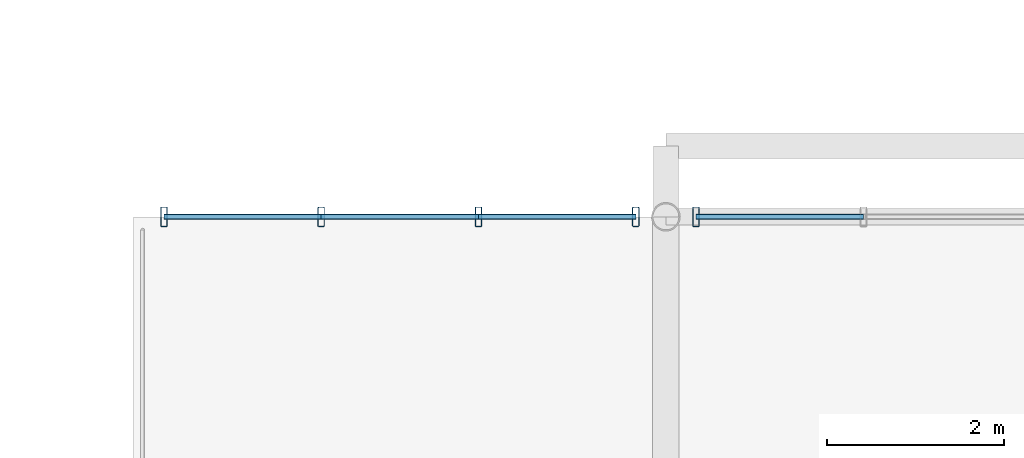
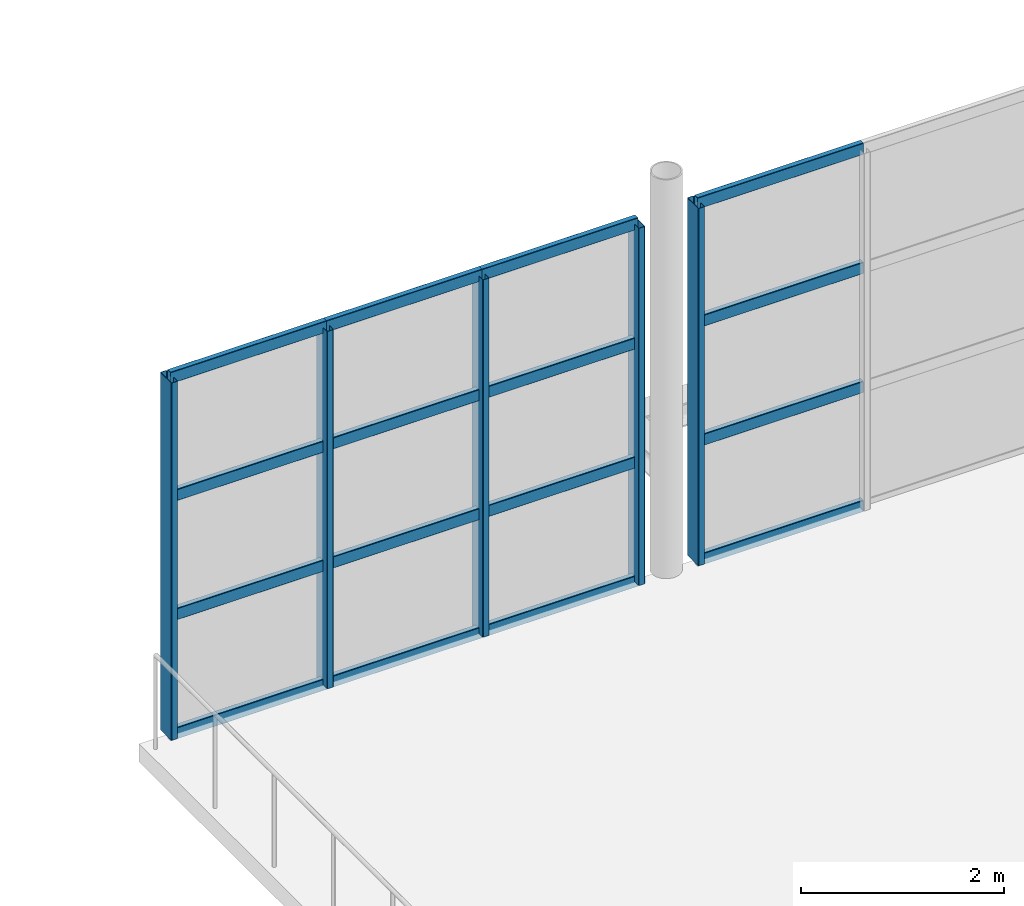
# One storey, part 71 of 143: 21 members, 2 elements without a shape of their own.
"""IFC4 building model written with IfcOpenShell, lengths in metres."""

from ifc_helpers import new_model, si_unit, derived_unit, direction, frame, origin, origin_2d, place, context, subcontext, project, spatial, hollow_rectangle, extrude, material, material_profile, profile_set, type_object, element, aggregate, save


model = new_model("IFC4")

# Units and contexts
model_context = context("Model", 3, precision=1e-05, world=origin(), true_north=direction((0.0, 1.0)))
body_context = subcontext(model_context, "Body", "Model", "MODEL_VIEW")
ifc_project = project(units=[si_unit("LENGTHUNIT", "METRE"), si_unit("AREAUNIT", "SQUARE_METRE"), si_unit("VOLUMEUNIT", "CUBIC_METRE"), si_unit("PLANEANGLEUNIT", "RADIAN"), si_unit("MASSUNIT", "GRAM", prefix="KILO"), derived_unit("THERMALTRANSMITTANCEUNIT", [(si_unit("POWERUNIT", "WATT"), 1), (si_unit("LENGTHUNIT", "METRE"), -2), (si_unit("THERMODYNAMICTEMPERATUREUNIT", "KELVIN"), -1)])], contexts=[model_context])

# Site, building, storey
site_placement = place(None, origin())
site = spatial("IfcSite", under=ifc_project, at=site_placement, CompositionType="ELEMENT")
building_placement = place(site_placement, origin())
building = spatial("IfcBuilding", under=site, at=building_placement, Name="Keldorne Ridge Multi-Sports Centre", CompositionType="ELEMENT")
storey_placement = place(building_placement, frame((0.0, 0.0, 4.800048828125)))
storey = spatial("IfcBuildingStorey", under=building, at=storey_placement, Name="L01", CompositionType="ELEMENT", Elevation=4.800048828125)

# Curtain wall, member
ifc_material = material(Name="Anodized aluminium", Category="aluminium")
curtain_wall_type_1 = type_object("IfcCurtainWallType", Name="CW-CW-08", PredefinedType="NOTDEFINED", material=ifc_material)
curtain_wall_1_placement = place(storey_placement, origin())
curtain_wall_1 = element("IfcCurtainWall", 1, at=curtain_wall_1_placement, inside=storey, type_object=curtain_wall_type_1, Name="Public Passage N upper portal glazing 080", PredefinedType="NOTDEFINED")
ifc_material_profile_1 = material_profile(ifc_material, hollow_rectangle(XDim=0.074951171875, YDim=0.219970703125, WallThickness=0.0048828125, InnerFilletRadius=0.0048828125, OuterFilletRadius=0.010009765625, at=origin_2d()), Name="ALU MULLION 220x75x5")
ifc_profile_set_1 = profile_set([ifc_material_profile_1], Name="Anodized aluminium")
member_type_1 = type_object("IfcMemberType", Name="MEM-ML-02", PredefinedType="MULLION", material=ifc_profile_set_1)
member_1_placement = place(storey_placement, frame((84.340087890625, 114.0, 0.0), z_axis=(0.0, 0.0, 1.0), x_axis=(1.0, 0.0, 0.0)))
member_1 = element("IfcMember", 2, at=member_1_placement, type_object=member_type_1, Name="CW-080 vertical mullion 7", PredefinedType="MULLION", context=body_context, shape_type="SweptSolid", body=[
    extrude(hollow_rectangle(XDim=0.074951171875, YDim=0.219970703125, WallThickness=0.0048828125, InnerFilletRadius=0.0048828125, OuterFilletRadius=0.010009765625, at=origin_2d()), origin(), (0.0, 0.0, 1.0), 4.300048828125),
])

# Curtain wall, members
curtain_wall_type_2 = type_object("IfcCurtainWallType", Name="CW-CW-02", PredefinedType="NOTDEFINED", material=ifc_material)
curtain_wall_2_placement = place(storey_placement, origin())
curtain_wall_2 = element("IfcCurtainWall", 3, at=curtain_wall_2_placement, inside=storey, type_object=curtain_wall_type_2, Name="Public Passage N upper glazing 082", PredefinedType="NOTDEFINED")
member_2_placement = place(storey_placement, frame((83.659912109375, 114.0, 0.0), z_axis=(0.0, 0.0, 1.0), x_axis=(1.0, 0.0, 0.0)))
member_2 = element("IfcMember", 4, at=member_2_placement, type_object=member_type_1, Name="CW-082 vertical mullion 1", PredefinedType="MULLION", context=body_context, shape_type="SweptSolid", body=[
    extrude(hollow_rectangle(XDim=0.074951171875, YDim=0.219970703125, WallThickness=0.0048828125, InnerFilletRadius=0.0048828125, OuterFilletRadius=0.010009765625, at=origin_2d()), origin(), (0.0, 0.0, 1.0), 4.300048828125),
])
member_3_placement = place(storey_placement, frame((81.88671875, 114.0, 0.0), z_axis=(0.0, 0.0, 1.0), x_axis=(1.0, 0.0, 0.0)))
member_3 = element("IfcMember", 5, at=member_3_placement, type_object=member_type_1, Name="CW-082 vertical mullion 2", PredefinedType="MULLION", context=body_context, shape_type="SweptSolid", body=[
    extrude(hollow_rectangle(XDim=0.074951171875, YDim=0.219970703125, WallThickness=0.0048828125, InnerFilletRadius=0.0048828125, OuterFilletRadius=0.010009765625, at=origin_2d()), origin(), (0.0, 0.0, 1.0), 4.300048828125),
])
member_4_placement = place(storey_placement, frame((80.11328125, 114.0, 0.0), z_axis=(0.0, 0.0, 1.0), x_axis=(1.0, 0.0, 0.0)))
member_4 = element("IfcMember", 6, at=member_4_placement, type_object=member_type_1, Name="CW-082 vertical mullion 3", PredefinedType="MULLION", context=body_context, shape_type="SweptSolid", body=[
    extrude(hollow_rectangle(XDim=0.074951171875, YDim=0.219970703125, WallThickness=0.0048828125, InnerFilletRadius=0.0048828125, OuterFilletRadius=0.010009765625, at=origin_2d()), origin(), (0.0, 0.0, 1.0), 4.300048828125),
])
member_5_placement = place(storey_placement, frame((78.340087890625, 114.0, 0.0), z_axis=(0.0, 0.0, 1.0), x_axis=(1.0, 0.0, 0.0)))
member_5 = element("IfcMember", 7, at=member_5_placement, type_object=member_type_1, Name="CW-082 vertical mullion 4", PredefinedType="MULLION", context=body_context, shape_type="SweptSolid", body=[
    extrude(hollow_rectangle(XDim=0.074951171875, YDim=0.219970703125, WallThickness=0.0048828125, InnerFilletRadius=0.0048828125, OuterFilletRadius=0.010009765625, at=origin_2d()), origin(), (0.0, 0.0, 1.0), 4.300048828125),
])

# Member
ifc_material_profile_2 = material_profile(ifc_material, hollow_rectangle(XDim=0.06494140625, YDim=0.139892578125, WallThickness=0.00439453125, InnerFilletRadius=0.00439453125, OuterFilletRadius=0.009033203125, at=origin_2d()), Name="ALU TRANSOM 140x65x4.5")
ifc_profile_set_2 = profile_set([ifc_material_profile_2], Name="Anodized aluminium")
member_type_2 = type_object("IfcMemberType", Name="MEM-TR-01", PredefinedType="USERDEFINED", material=ifc_profile_set_2)
member_6_placement = place(storey_placement, frame((86.226806640625, 114.0, 0.0), z_axis=(-1.0, 0.0, 0.0), x_axis=(0.0, -1.0, 0.0)))
member_6 = element("IfcMember", 8, at=member_6_placement, type_object=member_type_2, Name="CW-080 transom 6.1", ObjectType="TRANSOM", PredefinedType="USERDEFINED", context=body_context, shape_type="SweptSolid", body=[
    extrude(hollow_rectangle(XDim=0.06494140625, YDim=0.139892578125, WallThickness=0.00439453125, InnerFilletRadius=0.00439453125, OuterFilletRadius=0.009033203125, at=origin_2d()), origin(), (0.0, 0.0, 1.0), 1.88671875),
])

member_7_placement = place(storey_placement, frame((86.226806640625, 114.0, 1.433349609375), z_axis=(-1.0, 0.0, 0.0), x_axis=(0.0, -1.0, 0.0)))
member_7 = element("IfcMember", 9, at=member_7_placement, type_object=member_type_2, Name="CW-080 transom 6.2", ObjectType="TRANSOM", PredefinedType="USERDEFINED", context=body_context, shape_type="SweptSolid", body=[
    extrude(hollow_rectangle(XDim=0.06494140625, YDim=0.139892578125, WallThickness=0.00439453125, InnerFilletRadius=0.00439453125, OuterFilletRadius=0.009033203125, at=origin_2d()), origin(), (0.0, 0.0, 1.0), 1.88671875),
])

member_8_placement = place(storey_placement, frame((86.226806640625, 114.0, 2.86669921875), z_axis=(-1.0, 0.0, 0.0), x_axis=(0.0, -1.0, 0.0)))
member_8 = element("IfcMember", 10, at=member_8_placement, type_object=member_type_2, Name="CW-080 transom 6.3", ObjectType="TRANSOM", PredefinedType="USERDEFINED", context=body_context, shape_type="SweptSolid", body=[
    extrude(hollow_rectangle(XDim=0.06494140625, YDim=0.139892578125, WallThickness=0.00439453125, InnerFilletRadius=0.00439453125, OuterFilletRadius=0.009033203125, at=origin_2d()), origin(), (0.0, 0.0, 1.0), 1.88671875),
])

member_9_placement = place(storey_placement, frame((86.226806640625, 114.0, 4.300048828125), z_axis=(-1.0, 0.0, 0.0), x_axis=(0.0, -1.0, 0.0)))
member_9 = element("IfcMember", 11, at=member_9_placement, type_object=member_type_2, Name="CW-080 transom 6.4", ObjectType="TRANSOM", PredefinedType="USERDEFINED", context=body_context, shape_type="SweptSolid", body=[
    extrude(hollow_rectangle(XDim=0.06494140625, YDim=0.139892578125, WallThickness=0.00439453125, InnerFilletRadius=0.00439453125, OuterFilletRadius=0.009033203125, at=origin_2d()), origin(), (0.0, 0.0, 1.0), 1.88671875),
])

aggregate(curtain_wall_1, [member_1, member_6, member_7, member_8, member_9])

member_10_placement = place(storey_placement, frame((83.659912109375, 114.0, 0.0), z_axis=(-1.0, 0.0, 0.0), x_axis=(0.0, -1.0, 0.0)))
member_10 = element("IfcMember", 12, at=member_10_placement, type_object=member_type_2, Name="CW-082 transom 1.1", ObjectType="TRANSOM", PredefinedType="USERDEFINED", context=body_context, shape_type="SweptSolid", body=[
    extrude(hollow_rectangle(XDim=0.06494140625, YDim=0.139892578125, WallThickness=0.00439453125, InnerFilletRadius=0.00439453125, OuterFilletRadius=0.009033203125, at=origin_2d()), origin(), (0.0, 0.0, 1.0), 1.773193359375),
])

member_11_placement = place(storey_placement, frame((83.659912109375, 114.0, 1.433349609375), z_axis=(-1.0, 0.0, 0.0), x_axis=(0.0, -1.0, 0.0)))
member_11 = element("IfcMember", 13, at=member_11_placement, type_object=member_type_2, Name="CW-082 transom 1.2", ObjectType="TRANSOM", PredefinedType="USERDEFINED", context=body_context, shape_type="SweptSolid", body=[
    extrude(hollow_rectangle(XDim=0.06494140625, YDim=0.139892578125, WallThickness=0.00439453125, InnerFilletRadius=0.00439453125, OuterFilletRadius=0.009033203125, at=origin_2d()), origin(), (0.0, 0.0, 1.0), 1.773193359375),
])

member_12_placement = place(storey_placement, frame((83.659912109375, 114.0, 2.86669921875), z_axis=(-1.0, 0.0, 0.0), x_axis=(0.0, -1.0, 0.0)))
member_12 = element("IfcMember", 14, at=member_12_placement, type_object=member_type_2, Name="CW-082 transom 1.3", ObjectType="TRANSOM", PredefinedType="USERDEFINED", context=body_context, shape_type="SweptSolid", body=[
    extrude(hollow_rectangle(XDim=0.06494140625, YDim=0.139892578125, WallThickness=0.00439453125, InnerFilletRadius=0.00439453125, OuterFilletRadius=0.009033203125, at=origin_2d()), origin(), (0.0, 0.0, 1.0), 1.773193359375),
])

member_13_placement = place(storey_placement, frame((83.659912109375, 114.0, 4.300048828125), z_axis=(-1.0, 0.0, 0.0), x_axis=(0.0, -1.0, 0.0)))
member_13 = element("IfcMember", 15, at=member_13_placement, type_object=member_type_2, Name="CW-082 transom 1.4", ObjectType="TRANSOM", PredefinedType="USERDEFINED", context=body_context, shape_type="SweptSolid", body=[
    extrude(hollow_rectangle(XDim=0.06494140625, YDim=0.139892578125, WallThickness=0.00439453125, InnerFilletRadius=0.00439453125, OuterFilletRadius=0.009033203125, at=origin_2d()), origin(), (0.0, 0.0, 1.0), 1.773193359375),
])

member_14_placement = place(storey_placement, frame((81.88671875, 114.0, 0.0), z_axis=(-1.0, 0.0, 0.0), x_axis=(0.0, -1.0, 0.0)))
member_14 = element("IfcMember", 16, at=member_14_placement, type_object=member_type_2, Name="CW-082 transom 2.1", ObjectType="TRANSOM", PredefinedType="USERDEFINED", context=body_context, shape_type="SweptSolid", body=[
    extrude(hollow_rectangle(XDim=0.06494140625, YDim=0.139892578125, WallThickness=0.00439453125, InnerFilletRadius=0.00439453125, OuterFilletRadius=0.009033203125, at=origin_2d()), origin(), (0.0, 0.0, 1.0), 1.7734375),
])

member_15_placement = place(storey_placement, frame((81.88671875, 114.0, 1.433349609375), z_axis=(-1.0, 0.0, 0.0), x_axis=(0.0, -1.0, 0.0)))
member_15 = element("IfcMember", 17, at=member_15_placement, type_object=member_type_2, Name="CW-082 transom 2.2", ObjectType="TRANSOM", PredefinedType="USERDEFINED", context=body_context, shape_type="SweptSolid", body=[
    extrude(hollow_rectangle(XDim=0.06494140625, YDim=0.139892578125, WallThickness=0.00439453125, InnerFilletRadius=0.00439453125, OuterFilletRadius=0.009033203125, at=origin_2d()), origin(), (0.0, 0.0, 1.0), 1.7734375),
])

member_16_placement = place(storey_placement, frame((81.88671875, 114.0, 2.86669921875), z_axis=(-1.0, 0.0, 0.0), x_axis=(0.0, -1.0, 0.0)))
member_16 = element("IfcMember", 18, at=member_16_placement, type_object=member_type_2, Name="CW-082 transom 2.3", ObjectType="TRANSOM", PredefinedType="USERDEFINED", context=body_context, shape_type="SweptSolid", body=[
    extrude(hollow_rectangle(XDim=0.06494140625, YDim=0.139892578125, WallThickness=0.00439453125, InnerFilletRadius=0.00439453125, OuterFilletRadius=0.009033203125, at=origin_2d()), origin(), (0.0, 0.0, 1.0), 1.7734375),
])

member_17_placement = place(storey_placement, frame((81.88671875, 114.0, 4.300048828125), z_axis=(-1.0, 0.0, 0.0), x_axis=(0.0, -1.0, 0.0)))
member_17 = element("IfcMember", 19, at=member_17_placement, type_object=member_type_2, Name="CW-082 transom 2.4", ObjectType="TRANSOM", PredefinedType="USERDEFINED", context=body_context, shape_type="SweptSolid", body=[
    extrude(hollow_rectangle(XDim=0.06494140625, YDim=0.139892578125, WallThickness=0.00439453125, InnerFilletRadius=0.00439453125, OuterFilletRadius=0.009033203125, at=origin_2d()), origin(), (0.0, 0.0, 1.0), 1.7734375),
])

member_18_placement = place(storey_placement, frame((80.11328125, 114.0, 0.0), z_axis=(-1.0, 0.0, 0.0), x_axis=(0.0, -1.0, 0.0)))
member_18 = element("IfcMember", 20, at=member_18_placement, type_object=member_type_2, Name="CW-082 transom 3.1", ObjectType="TRANSOM", PredefinedType="USERDEFINED", context=body_context, shape_type="SweptSolid", body=[
    extrude(hollow_rectangle(XDim=0.06494140625, YDim=0.139892578125, WallThickness=0.00439453125, InnerFilletRadius=0.00439453125, OuterFilletRadius=0.009033203125, at=origin_2d()), origin(), (0.0, 0.0, 1.0), 1.773193359375),
])

member_19_placement = place(storey_placement, frame((80.11328125, 114.0, 1.433349609375), z_axis=(-1.0, 0.0, 0.0), x_axis=(0.0, -1.0, 0.0)))
member_19 = element("IfcMember", 21, at=member_19_placement, type_object=member_type_2, Name="CW-082 transom 3.2", ObjectType="TRANSOM", PredefinedType="USERDEFINED", context=body_context, shape_type="SweptSolid", body=[
    extrude(hollow_rectangle(XDim=0.06494140625, YDim=0.139892578125, WallThickness=0.00439453125, InnerFilletRadius=0.00439453125, OuterFilletRadius=0.009033203125, at=origin_2d()), origin(), (0.0, 0.0, 1.0), 1.773193359375),
])

member_20_placement = place(storey_placement, frame((80.11328125, 114.0, 2.86669921875), z_axis=(-1.0, 0.0, 0.0), x_axis=(0.0, -1.0, 0.0)))
member_20 = element("IfcMember", 22, at=member_20_placement, type_object=member_type_2, Name="CW-082 transom 3.3", ObjectType="TRANSOM", PredefinedType="USERDEFINED", context=body_context, shape_type="SweptSolid", body=[
    extrude(hollow_rectangle(XDim=0.06494140625, YDim=0.139892578125, WallThickness=0.00439453125, InnerFilletRadius=0.00439453125, OuterFilletRadius=0.009033203125, at=origin_2d()), origin(), (0.0, 0.0, 1.0), 1.773193359375),
])

member_21_placement = place(storey_placement, frame((80.11328125, 114.0, 4.300048828125), z_axis=(-1.0, 0.0, 0.0), x_axis=(0.0, -1.0, 0.0)))
member_21 = element("IfcMember", 23, at=member_21_placement, type_object=member_type_2, Name="CW-082 transom 3.4", ObjectType="TRANSOM", PredefinedType="USERDEFINED", context=body_context, shape_type="SweptSolid", body=[
    extrude(hollow_rectangle(XDim=0.06494140625, YDim=0.139892578125, WallThickness=0.00439453125, InnerFilletRadius=0.00439453125, OuterFilletRadius=0.009033203125, at=origin_2d()), origin(), (0.0, 0.0, 1.0), 1.773193359375),
])

aggregate(curtain_wall_2, [member_2, member_3, member_4, member_5, member_10, member_11, member_12, member_13, member_14, member_15, member_16, member_17, member_18, member_19, member_20, member_21])

save(model, "model.ifc")
